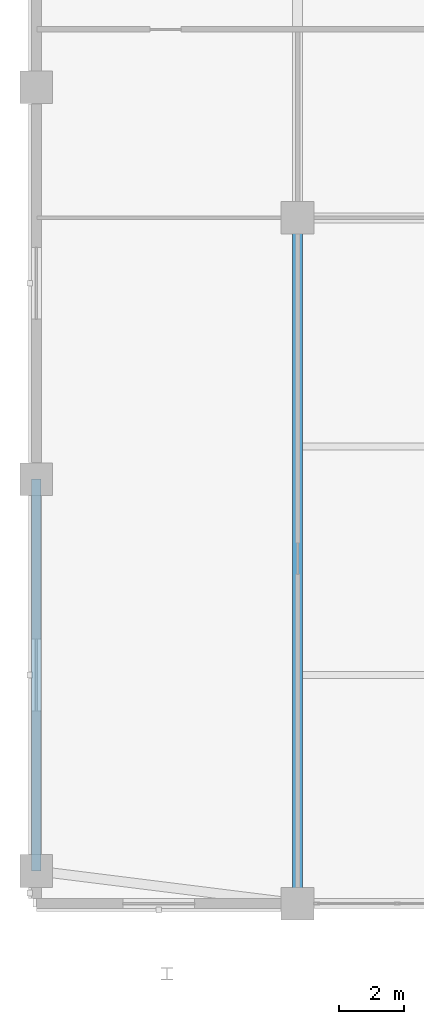
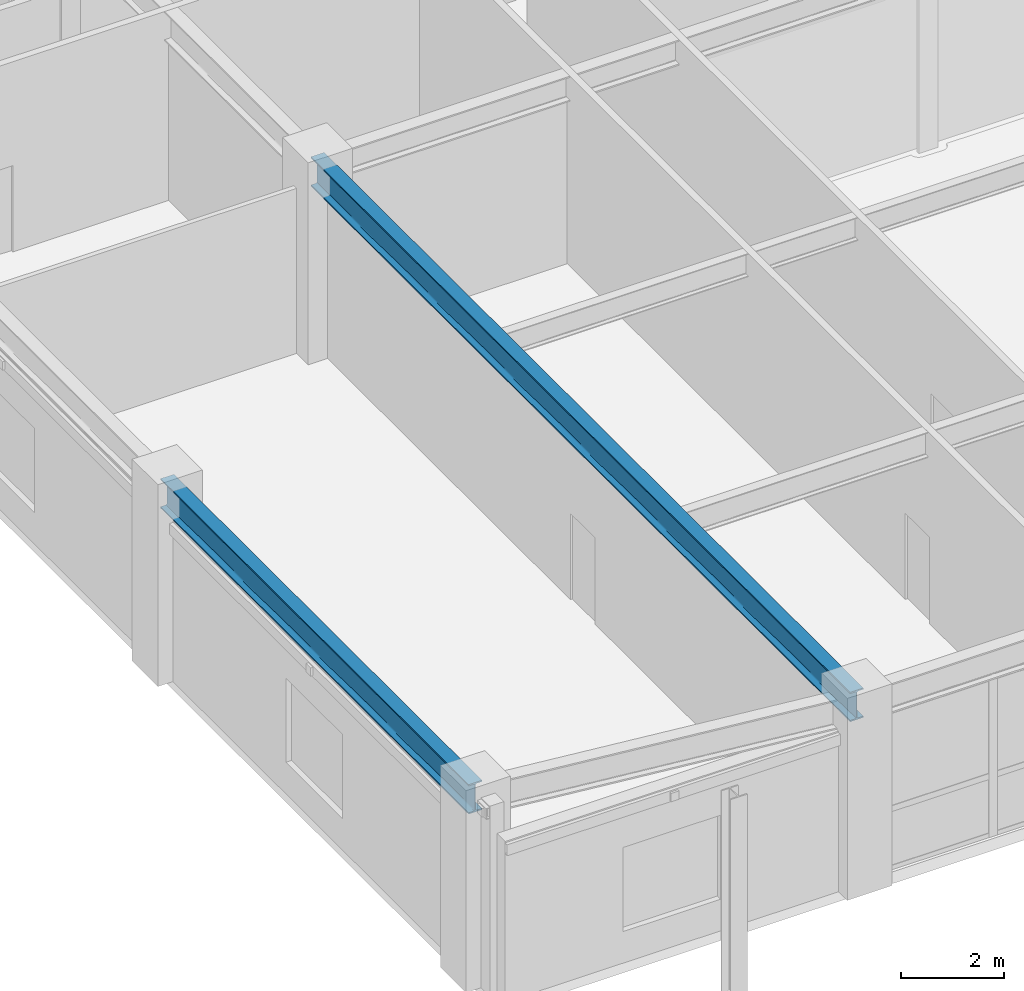
# One storey, part 6 of 48: 2 beams.
"""IFC4 building model written with IfcOpenShell, lengths in metres."""

from ifc_helpers import new_model, si_unit, derived_unit, direction, frame, origin, origin_2d, place, context, subcontext, project, spatial, i_section, extrude, source, transform, mapped, material, material_profile, profile_set, type_object, element, save


model = new_model("IFC4")

# Units and contexts
model_context = context("Model", 3, precision=1e-05, world=origin(), true_north=direction((0.0, 1.0)))
body_context = subcontext(model_context, "Body", "Model", "MODEL_VIEW")
ifc_project = project(units=[si_unit("LENGTHUNIT", "METRE"), si_unit("AREAUNIT", "SQUARE_METRE"), si_unit("VOLUMEUNIT", "CUBIC_METRE"), si_unit("PLANEANGLEUNIT", "RADIAN"), si_unit("MASSUNIT", "GRAM", prefix="KILO"), derived_unit("THERMALTRANSMITTANCEUNIT", [(si_unit("POWERUNIT", "WATT"), 1), (si_unit("LENGTHUNIT", "METRE"), -2), (si_unit("THERMODYNAMICTEMPERATUREUNIT", "KELVIN"), -1)])], contexts=[model_context])

# Site, building, storey
site_placement = place(None, origin())
site = spatial("IfcSite", under=ifc_project, at=site_placement, CompositionType="ELEMENT")
building_placement = place(site_placement, origin())
building = spatial("IfcBuilding", under=site, at=building_placement, Name="Korsvarv Bourse and Concert Hall", CompositionType="ELEMENT")
storey_placement = place(building_placement, frame((0.0, 0.0, 4.800048828125)))
storey = spatial("IfcBuildingStorey", under=building, at=storey_placement, Name="L01", CompositionType="ELEMENT", Elevation=4.800048828125)

# Beams
ifc_material = material(Name="Steel S355", Category="steel")
ifc_material_profile = material_profile(ifc_material, i_section(OverallWidth=0.300048828125, OverallDepth=0.699951171875, WebThickness=0.01708984375, FlangeThickness=0.031982421875, FilletRadius=0.027099609375, at=origin_2d()), Name="HEB 700")
ifc_profile_set = profile_set([ifc_material_profile], Name="Steel S355")
beam_type = type_object("IfcBeamType", Name="BM-HEB700", PredefinedType="BEAM", material=ifc_profile_set)
shared_shape_1 = source(origin(), body_context, "Body", "SweptSolid", [
    extrude(i_section(OverallWidth=0.300048828125, OverallDepth=0.699951171875, WebThickness=0.01708984375, FlangeThickness=0.031982421875, FilletRadius=0.027099609375, at=origin_2d()), origin(), (0.0, 0.0, 1.0), 12.0),
])
beam_1_placement = place(storey_placement, frame((6.0, 4.0, 4.169921875), z_axis=(0.0, 1.0, 0.0), x_axis=(-1.0, 0.0, 0.0)))
element("IfcBeam", 1, at=beam_1_placement, inside=storey, type_object=beam_type, Name="L01 beam B-03", PredefinedType="BEAM", context=body_context, shape_type="MappedRepresentation", body=[
    mapped(shared_shape_1, transform((0.0, 0.0, 0.0), scale=1.0)),
])
shared_shape_2 = source(origin(), body_context, "Body", "SweptSolid", [
    extrude(i_section(OverallWidth=0.300048828125, OverallDepth=0.699951171875, WebThickness=0.01708984375, FlangeThickness=0.031982421875, FilletRadius=0.027099609375, at=origin_2d()), origin(), (0.0, 0.0, 1.0), 21.0),
])
beam_2_placement = place(storey_placement, frame((14.0, 3.0, 4.169921875), z_axis=(0.0, 1.0, 0.0), x_axis=(-1.0, 0.0, 0.0)))
element("IfcBeam", 2, at=beam_2_placement, inside=storey, type_object=beam_type, Name="L01 beam B-03", PredefinedType="BEAM", context=body_context, shape_type="MappedRepresentation", body=[
    mapped(shared_shape_2, transform((0.0, 0.0, 0.0), scale=1.0)),
])

save(model, "model.ifc")
